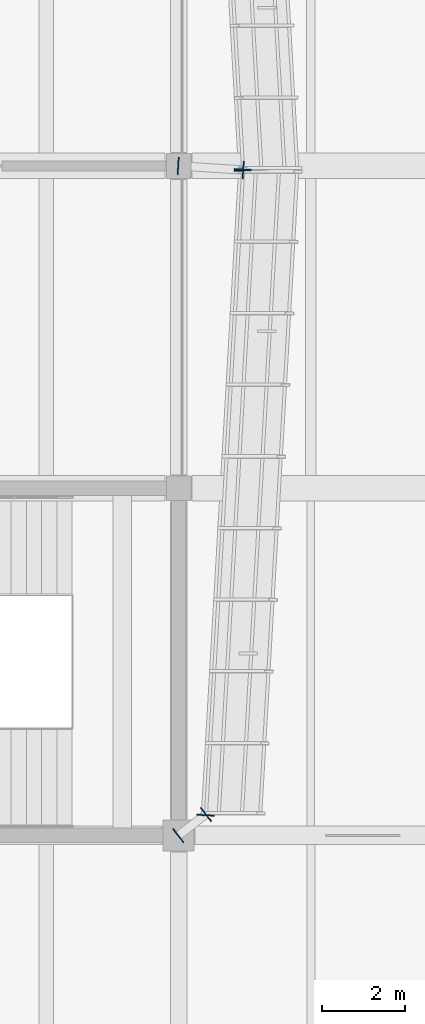
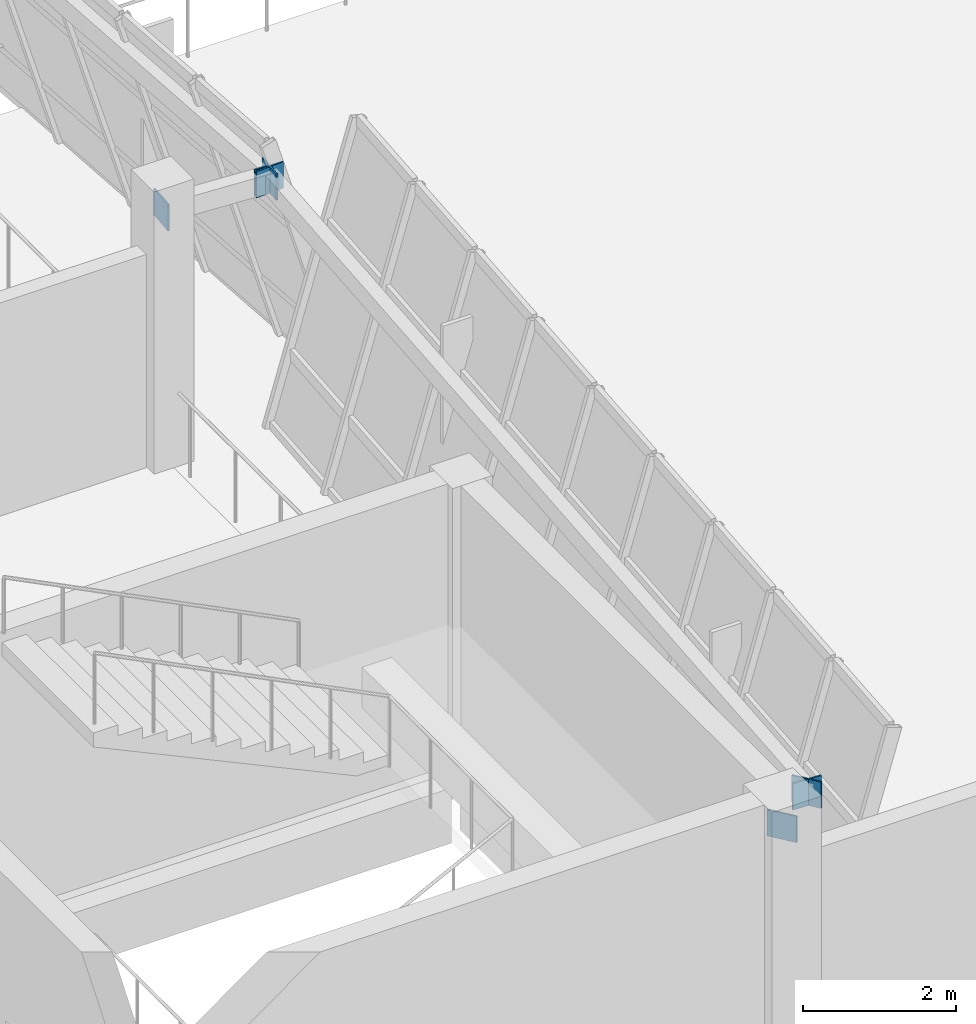
# One storey, part 49 of 71: 7 plates.
"""IFC4 building model written with IfcOpenShell, lengths in metres."""

from ifc_helpers import new_model, si_unit, direction, frame, origin, origin_2d, place, context, subcontext, project, spatial, rectangle, extrude, material, layer, layer_set, type_object, element, save


model = new_model("IFC4")

# Units and contexts
model_context = context("Model", 3, precision=1e-05, world=origin(), true_north=direction((0.0, 1.0)))
body_context = subcontext(model_context, "Body", "Model", "MODEL_VIEW")
ifc_project = project(units=[si_unit("LENGTHUNIT", "METRE"), si_unit("AREAUNIT", "SQUARE_METRE"), si_unit("VOLUMEUNIT", "CUBIC_METRE"), si_unit("PLANEANGLEUNIT", "RADIAN"), si_unit("MASSUNIT", "GRAM", prefix="KILO")], contexts=[model_context])

# Site, building, storey
site_placement = place(None, origin())
site = spatial("IfcSite", under=ifc_project, at=site_placement, CompositionType="ELEMENT")
building_placement = place(site_placement, origin())
building = spatial("IfcBuilding", under=site, at=building_placement, Name="Pellamere Symphony Hall", CompositionType="ELEMENT")
storey_placement = place(building_placement, frame((0.0, 0.0, 15.0)))
storey = spatial("IfcBuildingStorey", under=building, at=storey_placement, Name="L03", CompositionType="ELEMENT", Elevation=15.0)

# Plates
ifc_material = material(Name="Steel CSA G40.21 350W", Category="steel")
ifc_layer = layer(ifc_material, 0.02490234375, Name="Steel CSA G40.21 350W")
ifc_layer_set = layer_set([ifc_layer], Name="Steel CSA G40.21 350W")
plate_type = type_object("IfcPlateType", Name="Steel Connection Plate KP-01 420x420x25", PredefinedType="SHEET", material=ifc_layer_set)
for number, where, z_axis, x_axis, name in (
    (1, (119.44921875, 30.488037109375, 3.72998046875), (0.0, 0.0, 1.0), (0.05756402696, 0.998341816614, 0.0), "Crystal Spandrel End Cap Plate CW-CR06-1 (L03)"),
    (2, (120.3505859375, 46.112060546875, 3.72998046875), (0.0, 0.0, 1.0), (0.05756402696, 0.998341816614, 0.0), "Crystal Spandrel End Cap Plate CW-CR06-2 (L03)"),
    (3, (118.79052734375, 29.99267578125, 3.72998046875), (0.0, 0.0, 1.0), (0.792609005996, 0.609730238396, 0.0), "Outrigger End Cap Plate 015.1 (L03)"),
    (4, (119.45947265625, 30.50732421875, 3.72998046875), (0.0, 0.0, 1.0), (0.792609005996, 0.609730238396, 0.0), "Outrigger End Cap Plate 015.2 (L03)"),
    (5, (118.7880859375, 46.20068359375, 3.72998046875), (0.0, 0.0, 1.0), (0.997926866086, -0.064358138139, 0.0), "Outrigger End Cap Plate 016.1 (L03)"),
    (6, (120.362060546875, 46.09912109375, 3.72998046875), (0.0, 0.0, 1.0), (0.997926866086, -0.064358138139, 0.0), "Outrigger End Cap Plate 016.2 (L03)"),
    (7, (120.3505859375, 46.087890625, 3.72998046875), (0.0, 0.0, 1.0), (-0.057215536424, 0.998361849427, 0.0), "Crystal Spandrel End Cap Plate CW-CR07-1 (L03)"),
):
    element("IfcPlate", number, at=place(storey_placement, frame(where, z_axis=z_axis, x_axis=x_axis)), inside=storey, type_object=plate_type, Name=name, PredefinedType="SHEET", context=body_context, shape_type="SweptSolid", body=[
        extrude(rectangle(XDim=0.02490234375, YDim=0.419921875, at=origin_2d()), origin(), (0.0, 0.0, 1.0), 0.419921875),
    ])

save(model, "model.ifc")
